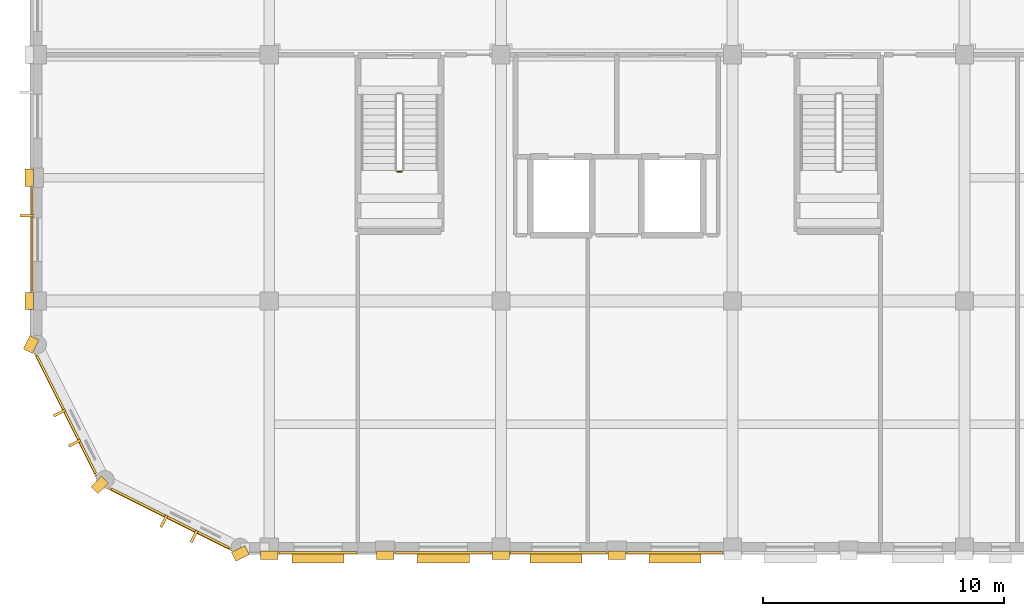
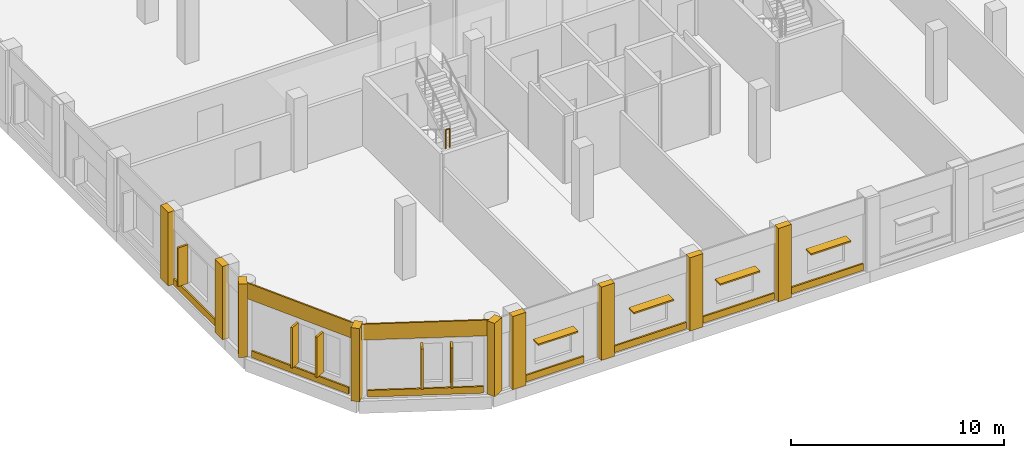
# One storey, part 151 of 170: 18 coverings, 9 shading devices, 1 railing.
"""IFC4 building model written with IfcOpenShell, lengths in metres."""

import ifcopenshell
import ifcopenshell.guid

model = None  # the IFC model being written
_history = None  # IfcOwnerHistory: only IFC2X3 demands one
_inside = {}  # id of a spatial element -> (the spatial element, [elements in it])
_under = {}  # id of a project, library or spatial element -> (it, [spatial elements below it])
_declared = {}  # id of a project -> (the project, [libraries it declares])
_typed = {}  # id of a type object -> (the type object, [elements of that type])
_made_of = {}  # id of a material, layer set ... -> (it, [elements and type objects made of it])


def new_model(schema):
    """Start an empty IFC model of exactly this schema.

    Asked for "IFC4X3", IfcOpenShell would pick the latest addendum, in which some entities
    have other attributes; the version numbers below select the first issue.
    IFC2X3 requires an IfcOwnerHistory on every rooted entity: one is made here for all.
    """
    global model, _history
    if schema == "IFC4X3":
        model = ifcopenshell.file(schema_version=(4, 3, 0, 0))
    else:
        model = ifcopenshell.file(schema=schema)
    _inside.clear()
    _under.clear()
    _declared.clear()
    _typed.clear()
    _made_of.clear()
    _history = None
    if model.schema == "IFC2X3":
        org = make("IfcOrganization", Name="unknown")
        user = make(
            "IfcPersonAndOrganization",
            ThePerson=make("IfcPerson", FamilyName="unknown"),
            TheOrganization=org,
        )
        app = make(
            "IfcApplication",
            ApplicationDeveloper=org,
            Version="unknown",
            ApplicationFullName="unknown",
            ApplicationIdentifier="unknown",
        )
        _history = make(
            "IfcOwnerHistory",
            OwningUser=user,
            OwningApplication=app,
            ChangeAction="ADDED",
            CreationDate=0,
        )
    return model


def make(cls, **values):
    """One entity of the class cls with the attributes given. An attribute that is None is left unset."""
    return model.create_entity(
        cls, **{name: value for name, value in values.items() if value is not None}
    )


def rooted(cls, **values):
    """An entity with a GlobalId (a new one), such as an element, a storey or a relation."""
    return make(cls, GlobalId=ifcopenshell.guid.new(), OwnerHistory=_history, **values)


def si_unit(unit_type, name, prefix=None):
    """IfcSIUnit, for example si_unit("LENGTHUNIT", "METRE", prefix="MILLI")."""
    return make("IfcSIUnit", UnitType=unit_type, Prefix=prefix, Name=name)


def assignment(units):
    """IfcUnitAssignment: the units of a project."""
    return None if units is None else make("IfcUnitAssignment", Units=units)


def point(xyz):
    """IfcCartesianPoint."""
    return None if xyz is None else make("IfcCartesianPoint", Coordinates=xyz)


def direction(xyz):
    """IfcDirection."""
    return None if xyz is None else make("IfcDirection", DirectionRatios=xyz)


def frame(location, z_axis=None, x_axis=None):
    """IfcAxis2Placement3D, a coordinate frame: its origin and axes. An axis left out is left unset."""
    return make(
        "IfcAxis2Placement3D",
        Location=point(location),
        Axis=direction(z_axis),
        RefDirection=direction(x_axis),
    )


def frame_2d(location, x_axis=None):
    """IfcAxis2Placement2D, a coordinate frame in the plane: its origin and x axis."""
    return make(
        "IfcAxis2Placement2D", Location=point(location), RefDirection=direction(x_axis)
    )


def origin():
    """The frame at (0, 0, 0) with its axes left unset."""
    return frame((0.0, 0.0, 0.0))


def origin_2d():
    """The frame at (0, 0) in the plane with its x axis left unset."""
    return frame_2d((0.0, 0.0))


def place(relative_to, where):
    """IfcLocalPlacement: puts the frame where relative to a parent placement (None: the world)."""
    return make(
        "IfcLocalPlacement", PlacementRelTo=relative_to, RelativePlacement=where
    )


def context(
    kind, dimensions, precision=None, world=None, true_north=None, identifier=None
):
    """IfcGeometricRepresentationContext, for example the 3D "Model" context."""
    return make(
        "IfcGeometricRepresentationContext",
        ContextIdentifier=identifier,
        ContextType=kind,
        CoordinateSpaceDimension=dimensions,
        Precision=precision,
        WorldCoordinateSystem=world,
        TrueNorth=true_north,
    )


def subcontext(parent, identifier, kind, view, scale=None):
    """IfcGeometricRepresentationSubContext, for example "Body" below "Model"."""
    return make(
        "IfcGeometricRepresentationSubContext",
        ContextIdentifier=identifier,
        ContextType=kind,
        ParentContext=parent,
        TargetScale=scale,
        TargetView=view,
    )


def project(units=None, contexts=None):
    """IfcProject with its units and contexts."""
    return rooted(
        "IfcProject",
        Name="project",
        RepresentationContexts=contexts,
        UnitsInContext=assignment(units),
    )


def spatial(cls, under=None, at=None, **own):
    """A site, building, storey or space (cls), placed at a placement, below another one or the project."""
    s = rooted(cls, ObjectPlacement=at, **own)
    if under is not None:
        _under.setdefault(under.id(), (under, []))[1].append(s)
    return s


def profile(cls, at=None, kind="AREA", **sizes):
    """A parametric profile (cls). Its sizes go by their IFC names, for example OverallWidth=200.0."""
    return make(cls, ProfileType=kind, Position=at, **sizes)


def rectangle(**sizes):
    """IfcRectangleProfileDef."""
    return profile("IfcRectangleProfileDef", **sizes)


def circle(**sizes):
    """IfcCircleProfileDef."""
    return profile("IfcCircleProfileDef", **sizes)


def extrude(swept, where, along, depth):
    """IfcExtrudedAreaSolid: the profile swept, set in the frame where, extruded along a direction by depth."""
    return make(
        "IfcExtrudedAreaSolid",
        SweptArea=swept,
        Position=where,
        ExtrudedDirection=direction(along),
        Depth=depth,
    )


def shape(context_of_items, identifier, shape_type, items):
    """IfcShapeRepresentation: the items that make up one representation, for example the "Body"."""
    return make(
        "IfcShapeRepresentation",
        ContextOfItems=context_of_items,
        RepresentationIdentifier=identifier,
        RepresentationType=shape_type,
        Items=items,
    )


def material(Name=None, Category=None):
    """IfcMaterial."""
    return make("IfcMaterial", Name=Name, Category=Category)


def layer(
    of_material, thickness, ventilated=None, Name=None, Category=None, Priority=None
):
    """IfcMaterialLayer: one layer of a wall or slab, of a material (None: an air gap)."""
    return make(
        "IfcMaterialLayer",
        Material=of_material,
        LayerThickness=thickness,
        IsVentilated=ventilated,
        Name=Name,
        Category=Category,
        Priority=Priority,
    )


def layer_set(layers, Name=None):
    """IfcMaterialLayerSet."""
    return make("IfcMaterialLayerSet", MaterialLayers=layers, LayerSetName=Name)


def made_of(thing, what):
    """Note that an element or type object is made of a material, layer set ...; save() writes the relation."""
    if what is not None:
        _made_of.setdefault(what.id(), (what, []))[1].append(thing)
    return thing


def type_object(cls, material=None, **own):
    """A type object (cls), such as IfcWallType, which elements share."""
    return made_of(rooted(cls, **own), material)


def element(
    cls,
    number,
    at=None,
    inside=None,
    cuts=None,
    type_object=None,
    material=None,
    context=None,
    identifier="Body",
    shape_type=None,
    held_by="IfcProductDefinitionShape",
    body=None,
    shapes=None,
    **own,
):
    """One element of the class cls, such as IfcWall. Its Tag is "e" and its number.

    at: its placement. inside: the storey or other place that contains it. cuts: it is an
    opening in that element (IfcRelVoidsElement). A single representation is given by context,
    identifier, shape_type and body (its items); several are given by shapes. held_by: the class
    of the entity that holds the representations. save() writes the other relations.
    """
    e = rooted(cls, Tag="e%d" % number, ObjectPlacement=at, **own)
    if body is not None:
        shapes = [shape(context, identifier, shape_type, body)]
    if shapes is not None:
        e.Representation = make(held_by, Representations=shapes)
    if inside is not None:
        _inside.setdefault(inside.id(), (inside, []))[1].append(e)
    if cuts is not None:
        rooted(
            "IfcRelVoidsElement", RelatingBuildingElement=cuts, RelatedOpeningElement=e
        )
    if type_object is not None:
        _typed.setdefault(type_object.id(), (type_object, []))[1].append(e)
    return made_of(e, material)


def aggregate(whole, parts):
    """IfcRelAggregates: a whole, such as a stair, and the parts it consists of."""
    return rooted("IfcRelAggregates", RelatingObject=whole, RelatedObjects=parts)


def save(model, path):
    """Write the relations noted so far, then the file.

    IfcRelAggregates (storeys below a building ...), IfcRelContainedInSpatialStructure (elements
    in a storey), IfcRelDefinesByType, IfcRelAssociatesMaterial and IfcRelDeclares: one each for
    every whole, place, type object, material and project.
    """
    for whole, parts in _under.values():
        aggregate(whole, parts)
    for where, things in _inside.values():
        rooted(
            "IfcRelContainedInSpatialStructure",
            RelatedElements=things,
            RelatingStructure=where,
        )
    for kind, things in _typed.values():
        rooted("IfcRelDefinesByType", RelatedObjects=things, RelatingType=kind)
    for what, things in _made_of.values():
        rooted("IfcRelAssociatesMaterial", RelatedObjects=things, RelatingMaterial=what)
    for by, libraries in _declared.values():
        rooted("IfcRelDeclares", RelatingContext=by, RelatedDefinitions=libraries)
    model.write(path)


model = new_model("IFC4")

# Units and contexts
model_context = context("Model", 3, precision=1e-05, world=origin(), true_north=direction((0.0, 1.0)))
body_context = subcontext(model_context, "Body", "Model", "MODEL_VIEW")
ifc_project = project(units=[si_unit("LENGTHUNIT", "METRE"), si_unit("AREAUNIT", "SQUARE_METRE"), si_unit("VOLUMEUNIT", "CUBIC_METRE"), si_unit("PLANEANGLEUNIT", "RADIAN"), si_unit("MASSUNIT", "GRAM", prefix="KILO")], contexts=[model_context])

# Site, building, storey
site_placement = place(None, origin())
site = spatial("IfcSite", under=ifc_project, at=site_placement, CompositionType="ELEMENT")
building_placement = place(site_placement, origin())
building = spatial("IfcBuilding", under=site, at=building_placement, Name="Vondelvale Polytechnic", CompositionType="ELEMENT")
storey_placement = place(building_placement, frame((0.0, 0.0, 5.39990234375)))
storey = spatial("IfcBuildingStorey", under=building, at=storey_placement, Name="L01", CompositionType="ELEMENT", Elevation=5.39990234375)

# Coverings
ifc_material_1 = material(Name="Malmsbury bluestone ashlar stone masonry", Category="masonry")
ifc_layer_1 = layer(ifc_material_1, 0.080078125)
ifc_layer_set_1 = layer_set([ifc_layer_1], Name="COV-BLUESTONE-PLINTH")
covering_type_1 = type_object("IfcCoveringType", Name="COV-BLUESTONE-PLINTH", PredefinedType="CLADDING", material=ifc_layer_set_1)
for number, where, z_axis, x_axis, name in (
    (1, (5.483642578125, 1.16748046875, 3.300048828125), (0.0, 0.0, 1.0), (-0.89438856037, 0.447290848419, 0.0), "L01 exterior masonry spandrel band"),
    (2, (1.16748046875, 5.483642578125, 3.300048828125), (0.0, 0.0, 1.0), (-0.447290848419, 0.89438856037, 0.0), "L01 exterior masonry spandrel band"),
):
    element("IfcCovering", number, at=place(storey_placement, frame(where, z_axis=z_axis, x_axis=x_axis)), inside=storey, type_object=covering_type_1, Name=name, PredefinedType="CLADDING", context=body_context, shape_type="SweptSolid", body=[
        extrude(rectangle(XDim=6.260986328125, YDim=0.080078125, at=origin_2d()), origin(), (0.0, 0.0, 1.0), 0.89990234375),
    ])
ifc_material_2 = material(Name="Amsterdam School iron-spot clinker clay brickwork", Category="masonry")
ifc_layer_2 = layer(ifc_material_2, 0.090087890625)
ifc_layer_set_2 = layer_set([ifc_layer_2], Name="COV-BRICK-RELIEF")
covering_type_2 = type_object("IfcCoveringType", Name="COV-BRICK-RELIEF", PredefinedType="CLADDING", material=ifc_layer_set_2)
for number, where, z_axis, x_axis, name in (
    (3, (5.49658203125, 1.193359375, 0.000244140625), (0.0, 0.0, 1.0), (-0.89438856037, 0.447290848419, 0.0), "L01 exterior corbelled masonry relief band"),
    (4, (1.193359375, 5.49658203125, 0.000244140625), (0.0, 0.0, 1.0), (-0.447290848419, 0.89438856037, 0.0), "L01 exterior corbelled masonry relief band"),
):
    element("IfcCovering", number, at=place(storey_placement, frame(where, z_axis=z_axis, x_axis=x_axis)), inside=storey, type_object=covering_type_2, Name=name, PredefinedType="CLADDING", context=body_context, shape_type="SweptSolid", body=[
        extrude(rectangle(XDim=5.452392578125, YDim=0.090087890625, at=origin_2d()), origin(), (0.0, 0.0, 1.0), 0.3798828125),
    ])
covering_1_placement = place(storey_placement, frame((11.62548828125, -0.23095703125, 0.000244140625), z_axis=(0.0, 0.0, 1.0), x_axis=(-1.0, 0.0, 0.0)))
element("IfcCovering", 5, at=covering_1_placement, inside=storey, type_object=covering_type_2, Name="L01 exterior corbelled masonry relief band", PredefinedType="CLADDING", context=body_context, shape_type="SweptSolid", body=[
    extrude(rectangle(XDim=3.239013671875, YDim=0.090087890625, at=origin_2d()), origin(), (0.0, 0.0, 1.0), 0.3798828125),
])
for number, where, z_axis, x_axis, name in (
    (6, (16.8125, -0.23095703125, 0.000244140625), (0.0, 0.0, 1.0), (-1.0, 0.0, 0.0), "L01 exterior corbelled masonry relief band"),
    (7, (21.58740234375, -0.23095703125, 0.000244140625), (0.0, 0.0, 1.0), (-1.0, 0.0, 0.0), "L01 exterior corbelled masonry relief band"),
    (8, (26.41259765625, -0.23095703125, 0.000244140625), (0.0, 0.0, 1.0), (-1.0, 0.0, 0.0), "L01 exterior corbelled masonry relief band"),
):
    element("IfcCovering", number, at=place(storey_placement, frame(where, z_axis=z_axis, x_axis=x_axis)), inside=storey, type_object=covering_type_2, Name=name, PredefinedType="CLADDING", context=body_context, shape_type="SweptSolid", body=[
        extrude(rectangle(XDim=3.962890625, YDim=0.090087890625, at=origin_2d()), origin(), (0.0, 0.0, 1.0), 0.3798828125),
    ])
covering_2_placement = place(storey_placement, frame((-0.23095703125, 12.737548828125, 0.000244140625), z_axis=(0.0, 0.0, 1.0), x_axis=(0.0, 1.0, 0.0)))
element("IfcCovering", 9, at=covering_2_placement, inside=storey, type_object=covering_type_2, Name="L01 exterior corbelled masonry relief band", PredefinedType="CLADDING", context=body_context, shape_type="SweptSolid", body=[
    extrude(rectangle(XDim=4.262939453125, YDim=0.090087890625, at=origin_2d()), origin(), (0.0, 0.0, 1.0), 0.3798828125),
])
for number, where, z_axis, x_axis, name in (
    (10, (9.60009765625, -0.340087890625, 0.0), (0.0, 0.0, 1.0), (1.0, 0.0, 0.0), "L01 Classical street pilaster"),
    (11, (14.39990234375, -0.340087890625, 0.0), (0.0, 0.0, 1.0), (1.0, 0.0, 0.0), "L01 Classical street pilaster"),
    (12, (19.199951171875, -0.340087890625, 0.0), (0.0, 0.0, 1.0), (1.0, 0.0, 0.0), "L01 Classical street pilaster"),
    (13, (24.0, -0.340087890625, 0.0), (0.0, 0.0, 1.0), (1.0, 0.0, 0.0), "L01 Classical street pilaster"),
):
    element("IfcCovering", number, at=place(storey_placement, frame(where, z_axis=z_axis, x_axis=x_axis)), inside=storey, type_object=covering_type_2, Name=name, PredefinedType="CLADDING", context=body_context, shape_type="SweptSolid", body=[
        extrude(rectangle(XDim=0.719970703125, YDim=0.360107421875, at=origin_2d()), origin(), (0.0, 0.0, 1.0), 4.199951171875),
    ])
for number, where, z_axis, x_axis, name in (
    (14, (-0.340087890625, 10.199951171875, 0.0), (0.0, 0.0, 1.0), (1.0, 0.0, 0.0), "L01 Classical street pilaster"),
    (15, (-0.340087890625, 15.300048828125, 0.0), (0.0, 0.0, 1.0), (1.0, 0.0, 0.0), "L01 Classical street pilaster"),
):
    element("IfcCovering", number, at=place(storey_placement, frame(where, z_axis=z_axis, x_axis=x_axis)), inside=storey, type_object=covering_type_2, Name=name, PredefinedType="CLADDING", context=body_context, shape_type="SweptSolid", body=[
        extrude(rectangle(XDim=0.360107421875, YDim=0.719970703125, at=origin_2d()), origin(), (0.0, 0.0, 1.0), 4.199951171875),
    ])
for number, where, z_axis, x_axis, name in (
    (16, (8.39990234375, -0.260009765625, 0.0), (0.0, 0.0, 1.0), (0.894934361602, 0.44619781311, 0.0), "L01 Amsterdam School turret buttress rib"),
    (17, (2.580078125, 2.580078125, 0.0), (0.0, 0.0, 1.0), (0.707106781187, 0.707106781187, 0.0), "L01 Amsterdam School turret buttress rib"),
    (18, (-0.260009765625, 8.39990234375, 0.0), (0.0, 0.0, 1.0), (0.44619781311, 0.894934361602, 0.0), "L01 Amsterdam School turret buttress rib"),
):
    element("IfcCovering", number, at=place(storey_placement, frame(where, z_axis=z_axis, x_axis=x_axis)), inside=storey, type_object=covering_type_2, Name=name, PredefinedType="CLADDING", context=body_context, shape_type="SweptSolid", body=[
        extrude(rectangle(XDim=0.6201171875, YDim=0.419921875, at=origin_2d()), origin(), (0.0, 0.0, 1.0), 4.199951171875),
    ])

# Railing
ifc_material_3 = material(Name="Brushed architectural stainless and zinc-coated metal")
ifc_layer_3 = layer(ifc_material_3, 0.050048828125)
ifc_layer_set_3 = layer_set([ifc_layer_3], Name="RL-STAIR-GUARD")
railing_type = type_object("IfcRailingType", Name="RL-STAIR-GUARD", PredefinedType="GUARDRAIL", material=ifc_layer_set_3)
railing_placement = place(storey_placement, frame((14.89990234375, 15.56494140625, 2.10009765625)))
element("IfcRailing", 19, at=railing_placement, inside=storey, type_object=railing_type, Name="L01 ST-03 stair guard 2", PredefinedType="GUARDRAIL", context=body_context, shape_type="SweptSolid", body=[
    extrude(circle(Radius=0.02392578125, at=origin_2d()), frame((0.0, 0.0, 1.076171875), z_axis=(1.0, 0.0, 0.0), x_axis=(0.0, 1.0, 0.0)), (0.0, 0.0, 1.0), 0.2001953125),
    extrude(circle(Radius=0.02099609375, at=origin_2d()), origin(), (0.0, 0.0, 1.0), 1.052001953125),
    extrude(circle(Radius=0.02099609375, at=origin_2d()), frame((0.2001953125, 0.0, 0.0)), (0.0, 0.0, 1.0), 1.052001953125),
])

# Shading devices
ifc_material_4 = material(Name="Anodised extruded aluminium 6063-T6", Category="aluminium")
shading_device_type_1 = type_object("IfcShadingDeviceType", Name="SHD-BRONZE-LOUVRE", PredefinedType="SHUTTER", material=ifc_material_4)
for number, where, z_axis, x_axis, name in (
    (20, (11.62548828125, -0.4150390625, 2.15771484375), (0.0, 0.0, 1.0), (-1.0, 0.0, 0.0), "L01 horizontal bronze sun-louvre overhang"),
    (21, (16.8125, -0.4150390625, 2.15771484375), (0.0, 0.0, 1.0), (-1.0, 0.0, 0.0), "L01 horizontal bronze sun-louvre overhang"),
    (22, (21.47998046875, -0.4150390625, 2.15771484375), (0.0, 0.0, 1.0), (-1.0, 0.0, 0.0), "L01 horizontal bronze sun-louvre overhang"),
    (23, (26.41259765625, -0.4150390625, 2.15771484375), (0.0, 0.0, 1.0), (-1.0, 0.0, 0.0), "L01 horizontal bronze sun-louvre overhang"),
):
    element("IfcShadingDevice", number, at=place(storey_placement, frame(where, z_axis=z_axis, x_axis=x_axis)), inside=storey, type_object=shading_device_type_1, Name=name, PredefinedType="SHUTTER", context=body_context, shape_type="SweptSolid", body=[
        extrude(rectangle(XDim=2.159912109375, YDim=0.47998046875, at=origin_2d()), origin(), (0.0, 0.0, 1.0), 0.0849609375),
    ])
ifc_material_5 = material(Name="Kiln-fired architectural terracotta", Category="masonry")
shading_device_type_2 = type_object("IfcShadingDeviceType", Name="SHD-TERRA-FIN-550", PredefinedType="JALOUSIE", material=ifc_material_5)
for number, where, z_axis, x_axis, name in (
    (24, (6.486572265625, 0.45361328125, 0.64013671875), (0.0, 0.0, 1.0), (-0.89438856037, 0.447290848419, 0.0), "L01 vertical terracotta solar fin"),
    (25, (5.234375, 1.07958984375, 0.64013671875), (0.0, 0.0, 1.0), (-0.89438856037, 0.447290848419, 0.0), "L01 vertical terracotta solar fin"),
    (26, (1.54150390625, 4.31103515625, 0.64013671875), (0.0, 0.0, 1.0), (-0.447290848419, 0.89438856037, 0.0), "L01 vertical terracotta solar fin"),
    (27, (0.915283203125, 5.56298828125, 0.64013671875), (0.0, 0.0, 1.0), (-0.447290848419, 0.89438856037, 0.0), "L01 vertical terracotta solar fin"),
):
    element("IfcShadingDevice", number, at=place(storey_placement, frame(where, z_axis=z_axis, x_axis=x_axis)), inside=storey, type_object=shading_device_type_2, Name=name, PredefinedType="JALOUSIE", context=body_context, shape_type="SweptSolid", body=[
        extrude(rectangle(XDim=0.110107421875, YDim=0.550048828125, at=origin_2d()), origin(), (0.0, 0.0, 1.0), 2.320068359375),
    ])
shading_device_placement = place(storey_placement, frame((-0.449951171875, 13.7275390625, 0.7900390625), z_axis=(0.0, 0.0, 1.0), x_axis=(0.0, 1.0, 0.0)))
element("IfcShadingDevice", 28, at=shading_device_placement, inside=storey, type_object=shading_device_type_2, Name="L01 vertical terracotta solar fin", PredefinedType="JALOUSIE", context=body_context, shape_type="SweptSolid", body=[
    extrude(rectangle(XDim=0.110107421875, YDim=0.550048828125, at=origin_2d()), origin(), (0.0, 0.0, 1.0), 2.219970703125),
])

save(model, "model.ifc")
